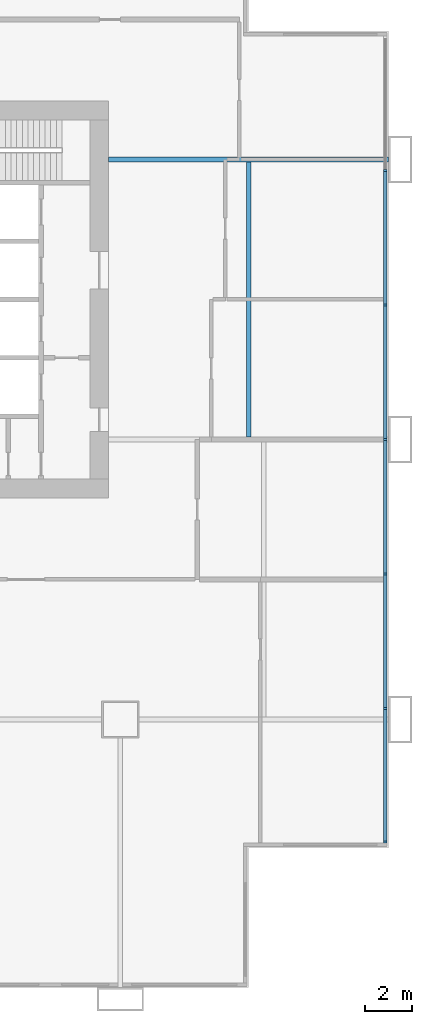
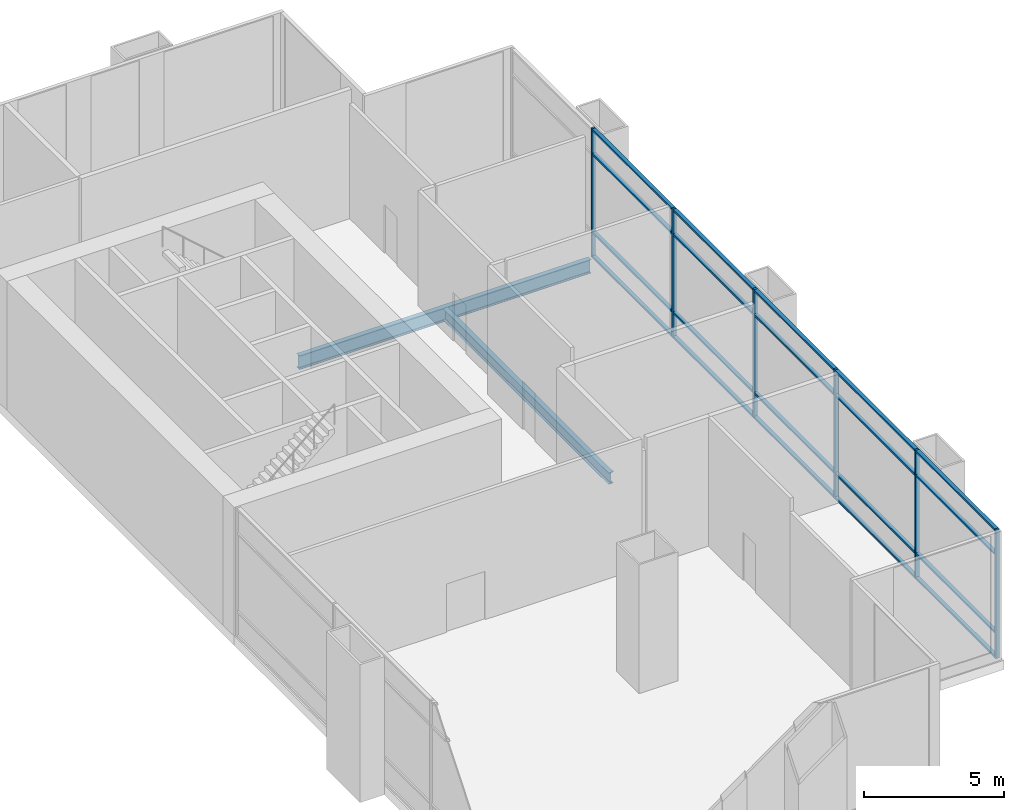
# One storey, part 11 of 25: 26 members, 2 beams, 1 element without a shape of its own.
"""IFC4 building model written with IfcOpenShell, lengths in metres."""

from ifc_helpers import new_model, si_unit, direction, frame, origin, origin_2d, place, context, subcontext, project, spatial, rectangle, i_section, extrude, material, material_profile, profile_set, type_object, element, aggregate, save


model = new_model("IFC4")

# Units and contexts
model_context = context("Model", 3, precision=1e-05, world=origin(), true_north=direction((0.0, 1.0)))
body_context = subcontext(model_context, "Body", "Model", "MODEL_VIEW")
ifc_project = project(units=[si_unit("LENGTHUNIT", "METRE"), si_unit("AREAUNIT", "SQUARE_METRE"), si_unit("VOLUMEUNIT", "CUBIC_METRE"), si_unit("PLANEANGLEUNIT", "RADIAN"), si_unit("MASSUNIT", "GRAM", prefix="KILO")], contexts=[model_context])

# Site, building, storey
site_placement = place(None, origin())
site = spatial("IfcSite", under=ifc_project, at=site_placement, CompositionType="ELEMENT")
building_placement = place(site_placement, origin())
building = spatial("IfcBuilding", under=site, at=building_placement, Name="Kitamizu Gate Tower and Museum", CompositionType="ELEMENT")
storey_placement = place(building_placement, frame((0.0, 0.0, 12.0)))
storey = spatial("IfcBuildingStorey", under=building, at=storey_placement, Name="L02", CompositionType="ELEMENT", Elevation=12.0)

# Beams
ifc_material_1 = material(Name="Steel SM490A", Category="steel")
ifc_material_profile_1 = material_profile(ifc_material_1, i_section(OverallWidth=0.199951171875, OverallDepth=0.5, WebThickness=0.010009765625, FlangeThickness=0.01611328125, FilletRadius=0.02001953125, at=origin_2d()), Name="H-500x200x10x16")
ifc_profile_set_1 = profile_set([ifc_material_profile_1], Name="Steel SM490A")
beam_type_1 = type_object("IfcBeamType", Name="Floor beam FB1 H 500x200x10x16", PredefinedType="BEAM", material=ifc_profile_set_1)
beam_1_placement = place(storey_placement, frame((65.5, 24.10009765625, -0.64990234375), z_axis=(0.0, 1.0, 0.0), x_axis=(-1.0, 0.0, 0.0)))
element("IfcBeam", 1, at=beam_1_placement, inside=storey, type_object=beam_type_1, Name="Floor beam FB1 L02-4", PredefinedType="BEAM", context=body_context, shape_type="SweptSolid", body=[
    extrude(i_section(OverallWidth=0.199951171875, OverallDepth=0.5, WebThickness=0.010009765625, FlangeThickness=0.01611328125, FilletRadius=0.02001953125, at=origin_2d()), origin(), (0.0, 0.0, 1.0), 11.7998046875),
])
ifc_material_2 = material(Name="Steel SM490A", Category="steel")
ifc_material_profile_2 = material_profile(ifc_material_2, i_section(OverallWidth=0.199951171875, OverallDepth=0.60009765625, WebThickness=0.010986328125, FlangeThickness=0.01708984375, FilletRadius=0.02197265625, at=origin_2d()), Name="H-600x200x11x17")
ifc_profile_set_2 = profile_set([ifc_material_profile_2], Name="Steel SM490A")
beam_type_2 = type_object("IfcBeamType", Name="Floor girder FG1 H 600x200x11x17", PredefinedType="BEAM", material=ifc_profile_set_2)
beam_2_placement = place(storey_placement, frame((59.5, 36.0, -0.699951171875), z_axis=(1.0, 0.0, 0.0), x_axis=(0.0, 1.0, 0.0)))
element("IfcBeam", 2, at=beam_2_placement, inside=storey, type_object=beam_type_2, Name="Floor girder FG1 y36 L02", PredefinedType="BEAM", context=body_context, shape_type="SweptSolid", body=[
    extrude(i_section(OverallWidth=0.199951171875, OverallDepth=0.60009765625, WebThickness=0.010986328125, FlangeThickness=0.01708984375, FilletRadius=0.02197265625, at=origin_2d()), origin(), (0.0, 0.0, 1.0), 12.0),
])

# Curtain wall, members
ifc_material_3 = material(Name="Bronze anodised aluminium frame, tinted triple glazing", Category="aluminium")
curtain_wall_type = type_object("IfcCurtainWallType", Name="CURTAIN WALL TYPE A PODIUM", PredefinedType="NOTDEFINED", material=ifc_material_3)
curtain_wall_placement = place(storey_placement, origin())
curtain_wall = element("IfcCurtainWall", 3, at=curtain_wall_placement, inside=storey, type_object=curtain_wall_type, Name="Curtain wall CW-A east L02", PredefinedType="NOTDEFINED")
ifc_material_4 = material(Name="Bronze anodised aluminium", Category="aluminium")
ifc_material_profile_3 = material_profile(ifc_material_4, rectangle(XDim=0.090087890625, YDim=0.14990234375, at=origin_2d()), Name="AL 90X150")
ifc_profile_set_3 = profile_set([ifc_material_profile_3], Name="Bronze anodised aluminium")
member_type_1 = type_object("IfcMemberType", Name="MULLION 90 X 150 TYPE A", PredefinedType="MULLION", material=ifc_profile_set_3)
member_1_placement = place(storey_placement, frame((71.364990234375, 6.7548828125, 0.0), z_axis=(0.0, 0.0, 1.0), x_axis=(0.0, 1.0, 0.0)))
member_1 = element("IfcMember", 4, at=member_1_placement, type_object=member_type_1, Name="CW-A mullion 1", PredefinedType="MULLION", context=body_context, shape_type="SweptSolid", body=[
    extrude(rectangle(XDim=0.090087890625, YDim=0.14990234375, at=origin_2d()), origin(), (0.0, 0.0, 1.0), 5.60009765625),
])
member_2_placement = place(storey_placement, frame((71.364990234375, 12.473388671875, 0.0), z_axis=(0.0, 0.0, 1.0), x_axis=(0.0, 1.0, 0.0)))
member_2 = element("IfcMember", 5, at=member_2_placement, type_object=member_type_1, Name="CW-A mullion 2", PredefinedType="MULLION", context=body_context, shape_type="SweptSolid", body=[
    extrude(rectangle(XDim=0.090087890625, YDim=0.14990234375, at=origin_2d()), origin(), (0.0, 0.0, 1.0), 5.60009765625),
])
member_3_placement = place(storey_placement, frame((71.364990234375, 18.236572265625, 0.0), z_axis=(0.0, 0.0, 1.0), x_axis=(0.0, 1.0, 0.0)))
member_3 = element("IfcMember", 6, at=member_3_placement, type_object=member_type_1, Name="CW-A mullion 3", PredefinedType="MULLION", context=body_context, shape_type="SweptSolid", body=[
    extrude(rectangle(XDim=0.090087890625, YDim=0.14990234375, at=origin_2d()), origin(), (0.0, 0.0, 1.0), 5.60009765625),
])
member_4_placement = place(storey_placement, frame((71.364990234375, 24.0, 0.0), z_axis=(0.0, 0.0, 1.0), x_axis=(0.0, 1.0, 0.0)))
member_4 = element("IfcMember", 7, at=member_4_placement, type_object=member_type_1, Name="CW-A mullion 4", PredefinedType="MULLION", context=body_context, shape_type="SweptSolid", body=[
    extrude(rectangle(XDim=0.090087890625, YDim=0.14990234375, at=origin_2d()), origin(), (0.0, 0.0, 1.0), 5.60009765625),
])
member_5_placement = place(storey_placement, frame((71.364990234375, 29.763427734375, 0.0), z_axis=(0.0, 0.0, 1.0), x_axis=(0.0, 1.0, 0.0)))
member_5 = element("IfcMember", 8, at=member_5_placement, type_object=member_type_1, Name="CW-A mullion 5", PredefinedType="MULLION", context=body_context, shape_type="SweptSolid", body=[
    extrude(rectangle(XDim=0.090087890625, YDim=0.14990234375, at=origin_2d()), origin(), (0.0, 0.0, 1.0), 5.60009765625),
])
member_6_placement = place(storey_placement, frame((71.364990234375, 35.526611328125, 0.0), z_axis=(0.0, 0.0, 1.0), x_axis=(0.0, 1.0, 0.0)))
member_6 = element("IfcMember", 9, at=member_6_placement, type_object=member_type_1, Name="CW-A mullion 6", PredefinedType="MULLION", context=body_context, shape_type="SweptSolid", body=[
    extrude(rectangle(XDim=0.090087890625, YDim=0.14990234375, at=origin_2d()), origin(), (0.0, 0.0, 1.0), 5.60009765625),
])
ifc_material_5 = material(Name="Bronze anodised aluminium", Category="aluminium")
ifc_material_profile_4 = material_profile(ifc_material_5, rectangle(XDim=0.14990234375, YDim=0.080078125, at=origin_2d()), Name="AL 80X150")
ifc_profile_set_4 = profile_set([ifc_material_profile_4], Name="Bronze anodised aluminium")
member_type_2 = type_object("IfcMemberType", Name="TRANSOM 80 X 150 TYPE A", PredefinedType="USERDEFINED", material=ifc_profile_set_4)
member_7_placement = place(storey_placement, frame((71.364990234375, 6.800048828125, 0.0400390625), z_axis=(0.0, 1.0, 0.0), x_axis=(-1.0, 0.0, 0.0)))
member_7 = element("IfcMember", 10, at=member_7_placement, type_object=member_type_2, Name="CW-A transom 1.1", ObjectType="TRANSOM", PredefinedType="USERDEFINED", context=body_context, shape_type="SweptSolid", body=[
    extrude(rectangle(XDim=0.14990234375, YDim=0.080078125, at=origin_2d()), origin(), (0.0, 0.0, 1.0), 5.628173828125),
])
member_8_placement = place(storey_placement, frame((71.364990234375, 6.800048828125, 1.10009765625), z_axis=(0.0, 1.0, 0.0), x_axis=(-1.0, 0.0, 0.0)))
member_8 = element("IfcMember", 11, at=member_8_placement, type_object=member_type_2, Name="CW-A transom 1.2", ObjectType="TRANSOM", PredefinedType="USERDEFINED", context=body_context, shape_type="SweptSolid", body=[
    extrude(rectangle(XDim=0.14990234375, YDim=0.080078125, at=origin_2d()), origin(), (0.0, 0.0, 1.0), 5.628173828125),
])
member_9_placement = place(storey_placement, frame((71.364990234375, 6.800048828125, 4.5), z_axis=(0.0, 1.0, 0.0), x_axis=(-1.0, 0.0, 0.0)))
member_9 = element("IfcMember", 12, at=member_9_placement, type_object=member_type_2, Name="CW-A transom 1.3", ObjectType="TRANSOM", PredefinedType="USERDEFINED", context=body_context, shape_type="SweptSolid", body=[
    extrude(rectangle(XDim=0.14990234375, YDim=0.080078125, at=origin_2d()), origin(), (0.0, 0.0, 1.0), 5.628173828125),
])
member_10_placement = place(storey_placement, frame((71.364990234375, 6.800048828125, 5.56005859375), z_axis=(0.0, 1.0, 0.0), x_axis=(-1.0, 0.0, 0.0)))
member_10 = element("IfcMember", 13, at=member_10_placement, type_object=member_type_2, Name="CW-A transom 1.4", ObjectType="TRANSOM", PredefinedType="USERDEFINED", context=body_context, shape_type="SweptSolid", body=[
    extrude(rectangle(XDim=0.14990234375, YDim=0.080078125, at=origin_2d()), origin(), (0.0, 0.0, 1.0), 5.628173828125),
])
member_11_placement = place(storey_placement, frame((71.364990234375, 12.518310546875, 0.0400390625), z_axis=(0.0, 1.0, 0.0), x_axis=(-1.0, 0.0, 0.0)))
member_11 = element("IfcMember", 14, at=member_11_placement, type_object=member_type_2, Name="CW-A transom 2.1", ObjectType="TRANSOM", PredefinedType="USERDEFINED", context=body_context, shape_type="SweptSolid", body=[
    extrude(rectangle(XDim=0.14990234375, YDim=0.080078125, at=origin_2d()), origin(), (0.0, 0.0, 1.0), 5.67333984375),
])
member_12_placement = place(storey_placement, frame((71.364990234375, 12.518310546875, 1.10009765625), z_axis=(0.0, 1.0, 0.0), x_axis=(-1.0, 0.0, 0.0)))
member_12 = element("IfcMember", 15, at=member_12_placement, type_object=member_type_2, Name="CW-A transom 2.2", ObjectType="TRANSOM", PredefinedType="USERDEFINED", context=body_context, shape_type="SweptSolid", body=[
    extrude(rectangle(XDim=0.14990234375, YDim=0.080078125, at=origin_2d()), origin(), (0.0, 0.0, 1.0), 5.67333984375),
])
member_13_placement = place(storey_placement, frame((71.364990234375, 12.518310546875, 4.5), z_axis=(0.0, 1.0, 0.0), x_axis=(-1.0, 0.0, 0.0)))
member_13 = element("IfcMember", 16, at=member_13_placement, type_object=member_type_2, Name="CW-A transom 2.3", ObjectType="TRANSOM", PredefinedType="USERDEFINED", context=body_context, shape_type="SweptSolid", body=[
    extrude(rectangle(XDim=0.14990234375, YDim=0.080078125, at=origin_2d()), origin(), (0.0, 0.0, 1.0), 5.67333984375),
])
member_14_placement = place(storey_placement, frame((71.364990234375, 12.518310546875, 5.56005859375), z_axis=(0.0, 1.0, 0.0), x_axis=(-1.0, 0.0, 0.0)))
member_14 = element("IfcMember", 17, at=member_14_placement, type_object=member_type_2, Name="CW-A transom 2.4", ObjectType="TRANSOM", PredefinedType="USERDEFINED", context=body_context, shape_type="SweptSolid", body=[
    extrude(rectangle(XDim=0.14990234375, YDim=0.080078125, at=origin_2d()), origin(), (0.0, 0.0, 1.0), 5.67333984375),
])
member_15_placement = place(storey_placement, frame((71.364990234375, 18.28173828125, 0.0400390625), z_axis=(0.0, 1.0, 0.0), x_axis=(-1.0, 0.0, 0.0)))
member_15 = element("IfcMember", 18, at=member_15_placement, type_object=member_type_2, Name="CW-A transom 3.1", ObjectType="TRANSOM", PredefinedType="USERDEFINED", context=body_context, shape_type="SweptSolid", body=[
    extrude(rectangle(XDim=0.14990234375, YDim=0.080078125, at=origin_2d()), origin(), (0.0, 0.0, 1.0), 5.67333984375),
])
member_16_placement = place(storey_placement, frame((71.364990234375, 18.28173828125, 1.10009765625), z_axis=(0.0, 1.0, 0.0), x_axis=(-1.0, 0.0, 0.0)))
member_16 = element("IfcMember", 19, at=member_16_placement, type_object=member_type_2, Name="CW-A transom 3.2", ObjectType="TRANSOM", PredefinedType="USERDEFINED", context=body_context, shape_type="SweptSolid", body=[
    extrude(rectangle(XDim=0.14990234375, YDim=0.080078125, at=origin_2d()), origin(), (0.0, 0.0, 1.0), 5.67333984375),
])
member_17_placement = place(storey_placement, frame((71.364990234375, 18.28173828125, 4.5), z_axis=(0.0, 1.0, 0.0), x_axis=(-1.0, 0.0, 0.0)))
member_17 = element("IfcMember", 20, at=member_17_placement, type_object=member_type_2, Name="CW-A transom 3.3", ObjectType="TRANSOM", PredefinedType="USERDEFINED", context=body_context, shape_type="SweptSolid", body=[
    extrude(rectangle(XDim=0.14990234375, YDim=0.080078125, at=origin_2d()), origin(), (0.0, 0.0, 1.0), 5.67333984375),
])
member_18_placement = place(storey_placement, frame((71.364990234375, 18.28173828125, 5.56005859375), z_axis=(0.0, 1.0, 0.0), x_axis=(-1.0, 0.0, 0.0)))
member_18 = element("IfcMember", 21, at=member_18_placement, type_object=member_type_2, Name="CW-A transom 3.4", ObjectType="TRANSOM", PredefinedType="USERDEFINED", context=body_context, shape_type="SweptSolid", body=[
    extrude(rectangle(XDim=0.14990234375, YDim=0.080078125, at=origin_2d()), origin(), (0.0, 0.0, 1.0), 5.67333984375),
])
member_19_placement = place(storey_placement, frame((71.364990234375, 24.044921875, 0.0400390625), z_axis=(0.0, 1.0, 0.0), x_axis=(-1.0, 0.0, 0.0)))
member_19 = element("IfcMember", 22, at=member_19_placement, type_object=member_type_2, Name="CW-A transom 4.1", ObjectType="TRANSOM", PredefinedType="USERDEFINED", context=body_context, shape_type="SweptSolid", body=[
    extrude(rectangle(XDim=0.14990234375, YDim=0.080078125, at=origin_2d()), origin(), (0.0, 0.0, 1.0), 5.67333984375),
])
member_20_placement = place(storey_placement, frame((71.364990234375, 24.044921875, 1.10009765625), z_axis=(0.0, 1.0, 0.0), x_axis=(-1.0, 0.0, 0.0)))
member_20 = element("IfcMember", 23, at=member_20_placement, type_object=member_type_2, Name="CW-A transom 4.2", ObjectType="TRANSOM", PredefinedType="USERDEFINED", context=body_context, shape_type="SweptSolid", body=[
    extrude(rectangle(XDim=0.14990234375, YDim=0.080078125, at=origin_2d()), origin(), (0.0, 0.0, 1.0), 5.67333984375),
])
member_21_placement = place(storey_placement, frame((71.364990234375, 24.044921875, 4.5), z_axis=(0.0, 1.0, 0.0), x_axis=(-1.0, 0.0, 0.0)))
member_21 = element("IfcMember", 24, at=member_21_placement, type_object=member_type_2, Name="CW-A transom 4.3", ObjectType="TRANSOM", PredefinedType="USERDEFINED", context=body_context, shape_type="SweptSolid", body=[
    extrude(rectangle(XDim=0.14990234375, YDim=0.080078125, at=origin_2d()), origin(), (0.0, 0.0, 1.0), 5.67333984375),
])
member_22_placement = place(storey_placement, frame((71.364990234375, 24.044921875, 5.56005859375), z_axis=(0.0, 1.0, 0.0), x_axis=(-1.0, 0.0, 0.0)))
member_22 = element("IfcMember", 25, at=member_22_placement, type_object=member_type_2, Name="CW-A transom 4.4", ObjectType="TRANSOM", PredefinedType="USERDEFINED", context=body_context, shape_type="SweptSolid", body=[
    extrude(rectangle(XDim=0.14990234375, YDim=0.080078125, at=origin_2d()), origin(), (0.0, 0.0, 1.0), 5.67333984375),
])
member_23_placement = place(storey_placement, frame((71.364990234375, 29.808349609375, 0.0400390625), z_axis=(0.0, 1.0, 0.0), x_axis=(-1.0, 0.0, 0.0)))
member_23 = element("IfcMember", 26, at=member_23_placement, type_object=member_type_2, Name="CW-A transom 5.1", ObjectType="TRANSOM", PredefinedType="USERDEFINED", context=body_context, shape_type="SweptSolid", body=[
    extrude(rectangle(XDim=0.14990234375, YDim=0.080078125, at=origin_2d()), origin(), (0.0, 0.0, 1.0), 5.67333984375),
])
member_24_placement = place(storey_placement, frame((71.364990234375, 29.808349609375, 1.10009765625), z_axis=(0.0, 1.0, 0.0), x_axis=(-1.0, 0.0, 0.0)))
member_24 = element("IfcMember", 27, at=member_24_placement, type_object=member_type_2, Name="CW-A transom 5.2", ObjectType="TRANSOM", PredefinedType="USERDEFINED", context=body_context, shape_type="SweptSolid", body=[
    extrude(rectangle(XDim=0.14990234375, YDim=0.080078125, at=origin_2d()), origin(), (0.0, 0.0, 1.0), 5.67333984375),
])
member_25_placement = place(storey_placement, frame((71.364990234375, 29.808349609375, 4.5), z_axis=(0.0, 1.0, 0.0), x_axis=(-1.0, 0.0, 0.0)))
member_25 = element("IfcMember", 28, at=member_25_placement, type_object=member_type_2, Name="CW-A transom 5.3", ObjectType="TRANSOM", PredefinedType="USERDEFINED", context=body_context, shape_type="SweptSolid", body=[
    extrude(rectangle(XDim=0.14990234375, YDim=0.080078125, at=origin_2d()), origin(), (0.0, 0.0, 1.0), 5.67333984375),
])
member_26_placement = place(storey_placement, frame((71.364990234375, 29.808349609375, 5.56005859375), z_axis=(0.0, 1.0, 0.0), x_axis=(-1.0, 0.0, 0.0)))
member_26 = element("IfcMember", 29, at=member_26_placement, type_object=member_type_2, Name="CW-A transom 5.4", ObjectType="TRANSOM", PredefinedType="USERDEFINED", context=body_context, shape_type="SweptSolid", body=[
    extrude(rectangle(XDim=0.14990234375, YDim=0.080078125, at=origin_2d()), origin(), (0.0, 0.0, 1.0), 5.67333984375),
])
aggregate(curtain_wall, [member_1, member_2, member_3, member_4, member_5, member_6, member_7, member_8, member_9, member_10, member_11, member_12, member_13, member_14, member_15, member_16, member_17, member_18, member_19, member_20, member_21, member_22, member_23, member_24, member_25, member_26])

save(model, "model.ifc")
